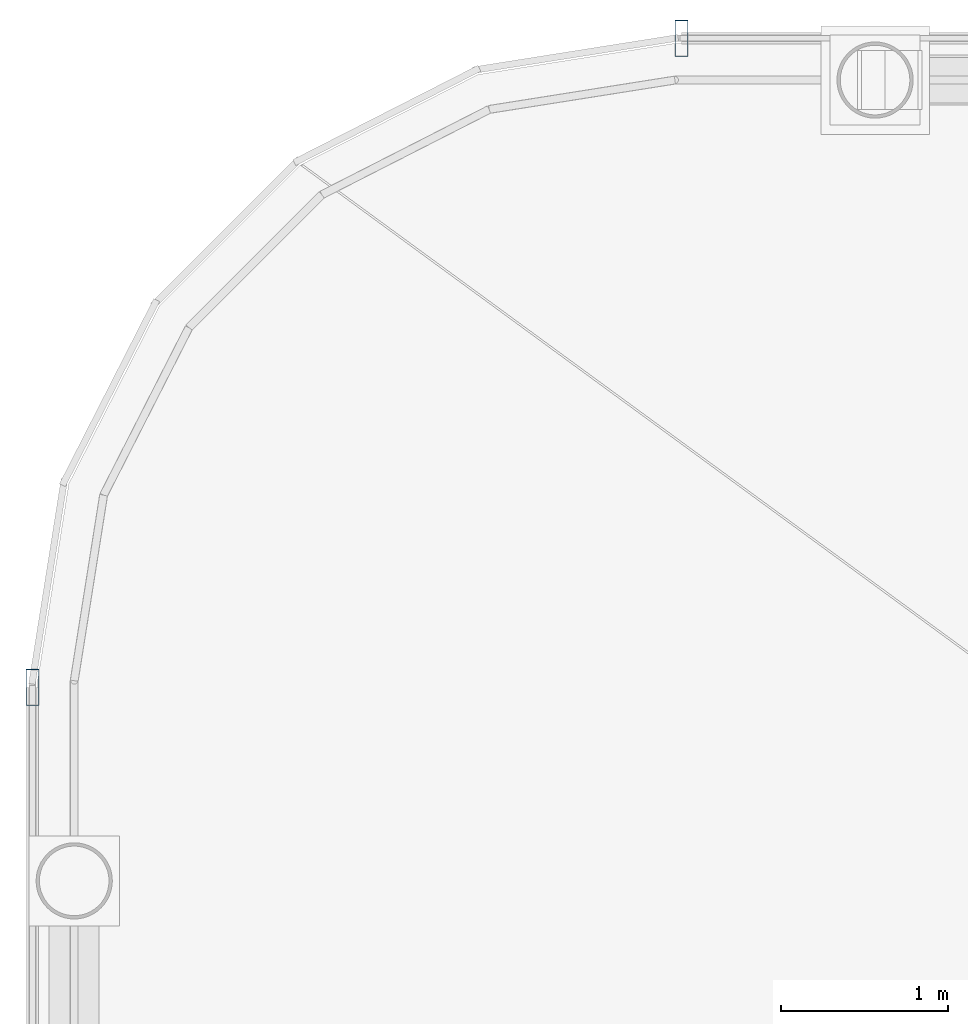
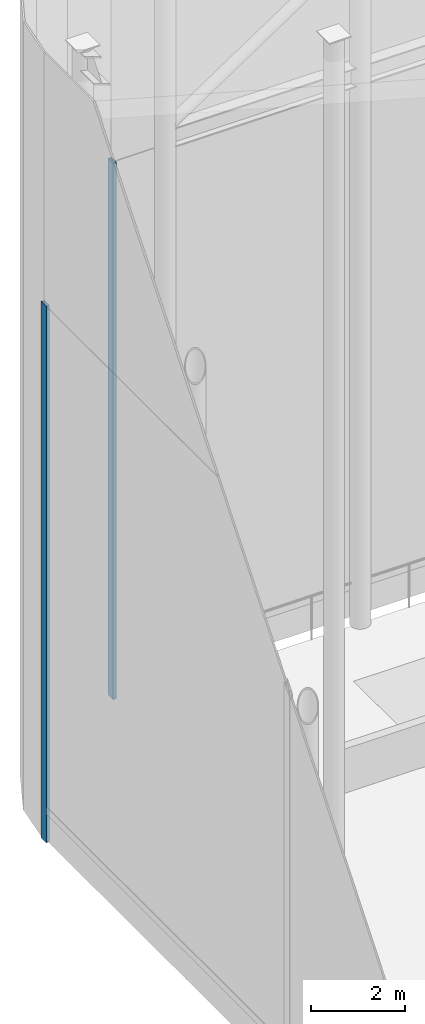
# One storey, part 24 of 42: 2 members, 2 elements without a shape of their own.
"""IFC4 building model written with IfcOpenShell, lengths in metres."""

import ifcopenshell
import ifcopenshell.guid

model = None  # the IFC model being written
_history = None  # IfcOwnerHistory: only IFC2X3 demands one
_inside = {}  # id of a spatial element -> (the spatial element, [elements in it])
_under = {}  # id of a project, library or spatial element -> (it, [spatial elements below it])
_declared = {}  # id of a project -> (the project, [libraries it declares])
_typed = {}  # id of a type object -> (the type object, [elements of that type])
_made_of = {}  # id of a material, layer set ... -> (it, [elements and type objects made of it])


def new_model(schema):
    """Start an empty IFC model of exactly this schema.

    Asked for "IFC4X3", IfcOpenShell would pick the latest addendum, in which some entities
    have other attributes; the version numbers below select the first issue.
    IFC2X3 requires an IfcOwnerHistory on every rooted entity: one is made here for all.
    """
    global model, _history
    if schema == "IFC4X3":
        model = ifcopenshell.file(schema_version=(4, 3, 0, 0))
    else:
        model = ifcopenshell.file(schema=schema)
    _inside.clear()
    _under.clear()
    _declared.clear()
    _typed.clear()
    _made_of.clear()
    _history = None
    if model.schema == "IFC2X3":
        org = make("IfcOrganization", Name="unknown")
        user = make(
            "IfcPersonAndOrganization",
            ThePerson=make("IfcPerson", FamilyName="unknown"),
            TheOrganization=org,
        )
        app = make(
            "IfcApplication",
            ApplicationDeveloper=org,
            Version="unknown",
            ApplicationFullName="unknown",
            ApplicationIdentifier="unknown",
        )
        _history = make(
            "IfcOwnerHistory",
            OwningUser=user,
            OwningApplication=app,
            ChangeAction="ADDED",
            CreationDate=0,
        )
    return model


def make(cls, **values):
    """One entity of the class cls with the attributes given. An attribute that is None is left unset."""
    return model.create_entity(
        cls, **{name: value for name, value in values.items() if value is not None}
    )


def rooted(cls, **values):
    """An entity with a GlobalId (a new one), such as an element, a storey or a relation."""
    return make(cls, GlobalId=ifcopenshell.guid.new(), OwnerHistory=_history, **values)


def si_unit(unit_type, name, prefix=None):
    """IfcSIUnit, for example si_unit("LENGTHUNIT", "METRE", prefix="MILLI")."""
    return make("IfcSIUnit", UnitType=unit_type, Prefix=prefix, Name=name)


def assignment(units):
    """IfcUnitAssignment: the units of a project."""
    return None if units is None else make("IfcUnitAssignment", Units=units)


def point(xyz):
    """IfcCartesianPoint."""
    return None if xyz is None else make("IfcCartesianPoint", Coordinates=xyz)


def direction(xyz):
    """IfcDirection."""
    return None if xyz is None else make("IfcDirection", DirectionRatios=xyz)


def frame(location, z_axis=None, x_axis=None):
    """IfcAxis2Placement3D, a coordinate frame: its origin and axes. An axis left out is left unset."""
    return make(
        "IfcAxis2Placement3D",
        Location=point(location),
        Axis=direction(z_axis),
        RefDirection=direction(x_axis),
    )


def frame_2d(location, x_axis=None):
    """IfcAxis2Placement2D, a coordinate frame in the plane: its origin and x axis."""
    return make(
        "IfcAxis2Placement2D", Location=point(location), RefDirection=direction(x_axis)
    )


def origin():
    """The frame at (0, 0, 0) with its axes left unset."""
    return frame((0.0, 0.0, 0.0))


def origin_2d():
    """The frame at (0, 0) in the plane with its x axis left unset."""
    return frame_2d((0.0, 0.0))


def place(relative_to, where):
    """IfcLocalPlacement: puts the frame where relative to a parent placement (None: the world)."""
    return make(
        "IfcLocalPlacement", PlacementRelTo=relative_to, RelativePlacement=where
    )


def context(
    kind, dimensions, precision=None, world=None, true_north=None, identifier=None
):
    """IfcGeometricRepresentationContext, for example the 3D "Model" context."""
    return make(
        "IfcGeometricRepresentationContext",
        ContextIdentifier=identifier,
        ContextType=kind,
        CoordinateSpaceDimension=dimensions,
        Precision=precision,
        WorldCoordinateSystem=world,
        TrueNorth=true_north,
    )


def subcontext(parent, identifier, kind, view, scale=None):
    """IfcGeometricRepresentationSubContext, for example "Body" below "Model"."""
    return make(
        "IfcGeometricRepresentationSubContext",
        ContextIdentifier=identifier,
        ContextType=kind,
        ParentContext=parent,
        TargetScale=scale,
        TargetView=view,
    )


def project(units=None, contexts=None):
    """IfcProject with its units and contexts."""
    return rooted(
        "IfcProject",
        Name="project",
        RepresentationContexts=contexts,
        UnitsInContext=assignment(units),
    )


def spatial(cls, under=None, at=None, **own):
    """A site, building, storey or space (cls), placed at a placement, below another one or the project."""
    s = rooted(cls, ObjectPlacement=at, **own)
    if under is not None:
        _under.setdefault(under.id(), (under, []))[1].append(s)
    return s


def profile(cls, at=None, kind="AREA", **sizes):
    """A parametric profile (cls). Its sizes go by their IFC names, for example OverallWidth=200.0."""
    return make(cls, ProfileType=kind, Position=at, **sizes)


def hollow_rectangle(**sizes):
    """IfcRectangleHollowProfileDef."""
    return profile("IfcRectangleHollowProfileDef", **sizes)


def extrude(swept, where, along, depth):
    """IfcExtrudedAreaSolid: the profile swept, set in the frame where, extruded along a direction by depth."""
    return make(
        "IfcExtrudedAreaSolid",
        SweptArea=swept,
        Position=where,
        ExtrudedDirection=direction(along),
        Depth=depth,
    )


def shape(context_of_items, identifier, shape_type, items):
    """IfcShapeRepresentation: the items that make up one representation, for example the "Body"."""
    return make(
        "IfcShapeRepresentation",
        ContextOfItems=context_of_items,
        RepresentationIdentifier=identifier,
        RepresentationType=shape_type,
        Items=items,
    )


def material(Name=None, Category=None):
    """IfcMaterial."""
    return make("IfcMaterial", Name=Name, Category=Category)


def layer(
    of_material, thickness, ventilated=None, Name=None, Category=None, Priority=None
):
    """IfcMaterialLayer: one layer of a wall or slab, of a material (None: an air gap)."""
    return make(
        "IfcMaterialLayer",
        Material=of_material,
        LayerThickness=thickness,
        IsVentilated=ventilated,
        Name=Name,
        Category=Category,
        Priority=Priority,
    )


def layer_set(layers, Name=None):
    """IfcMaterialLayerSet."""
    return make("IfcMaterialLayerSet", MaterialLayers=layers, LayerSetName=Name)


def material_profile(
    of_material, cross_section, Name=None, Category=None, Priority=None
):
    """IfcMaterialProfile: a cross section and its material."""
    return make(
        "IfcMaterialProfile",
        Name=Name,
        Material=of_material,
        Profile=cross_section,
        Priority=Priority,
        Category=Category,
    )


def profile_set(profiles, Name=None, composite=None):
    """IfcMaterialProfileSet."""
    return make(
        "IfcMaterialProfileSet",
        Name=Name,
        MaterialProfiles=profiles,
        CompositeProfile=composite,
    )


def made_of(thing, what):
    """Note that an element or type object is made of a material, layer set ...; save() writes the relation."""
    if what is not None:
        _made_of.setdefault(what.id(), (what, []))[1].append(thing)
    return thing


def type_object(cls, material=None, **own):
    """A type object (cls), such as IfcWallType, which elements share."""
    return made_of(rooted(cls, **own), material)


def element(
    cls,
    number,
    at=None,
    inside=None,
    cuts=None,
    type_object=None,
    material=None,
    context=None,
    identifier="Body",
    shape_type=None,
    held_by="IfcProductDefinitionShape",
    body=None,
    shapes=None,
    **own,
):
    """One element of the class cls, such as IfcWall. Its Tag is "e" and its number.

    at: its placement. inside: the storey or other place that contains it. cuts: it is an
    opening in that element (IfcRelVoidsElement). A single representation is given by context,
    identifier, shape_type and body (its items); several are given by shapes. held_by: the class
    of the entity that holds the representations. save() writes the other relations.
    """
    e = rooted(cls, Tag="e%d" % number, ObjectPlacement=at, **own)
    if body is not None:
        shapes = [shape(context, identifier, shape_type, body)]
    if shapes is not None:
        e.Representation = make(held_by, Representations=shapes)
    if inside is not None:
        _inside.setdefault(inside.id(), (inside, []))[1].append(e)
    if cuts is not None:
        rooted(
            "IfcRelVoidsElement", RelatingBuildingElement=cuts, RelatedOpeningElement=e
        )
    if type_object is not None:
        _typed.setdefault(type_object.id(), (type_object, []))[1].append(e)
    return made_of(e, material)


def aggregate(whole, parts):
    """IfcRelAggregates: a whole, such as a stair, and the parts it consists of."""
    return rooted("IfcRelAggregates", RelatingObject=whole, RelatedObjects=parts)


def save(model, path):
    """Write the relations noted so far, then the file.

    IfcRelAggregates (storeys below a building ...), IfcRelContainedInSpatialStructure (elements
    in a storey), IfcRelDefinesByType, IfcRelAssociatesMaterial and IfcRelDeclares: one each for
    every whole, place, type object, material and project.
    """
    for whole, parts in _under.values():
        aggregate(whole, parts)
    for where, things in _inside.values():
        rooted(
            "IfcRelContainedInSpatialStructure",
            RelatedElements=things,
            RelatingStructure=where,
        )
    for kind, things in _typed.values():
        rooted("IfcRelDefinesByType", RelatedObjects=things, RelatingType=kind)
    for what, things in _made_of.values():
        rooted("IfcRelAssociatesMaterial", RelatedObjects=things, RelatingMaterial=what)
    for by, libraries in _declared.values():
        rooted("IfcRelDeclares", RelatingContext=by, RelatedDefinitions=libraries)
    model.write(path)


model = new_model("IFC4")

# Units and contexts
model_context = context("Model", 3, precision=1e-05, world=origin(), true_north=direction((0.0, 1.0)))
body_context = subcontext(model_context, "Body", "Model", "MODEL_VIEW")
ifc_project = project(units=[si_unit("LENGTHUNIT", "METRE"), si_unit("AREAUNIT", "SQUARE_METRE"), si_unit("VOLUMEUNIT", "CUBIC_METRE"), si_unit("PLANEANGLEUNIT", "RADIAN"), si_unit("MASSUNIT", "GRAM", prefix="KILO")], contexts=[model_context])

# Site, building, storey
site_placement = place(None, origin())
site = spatial("IfcSite", under=ifc_project, at=site_placement, CompositionType="ELEMENT")
building_placement = place(site_placement, origin())
building = spatial("IfcBuilding", under=site, at=building_placement, Name="Kallvorn Hotel Tower", CompositionType="ELEMENT")
storey_placement = place(building_placement, frame((0.0, 0.0, 306.0)))
storey = spatial("IfcBuildingStorey", under=building, at=storey_placement, Name="ROOF", CompositionType="ELEMENT", Elevation=306.0)

# Curtain wall, member
ifc_material_1 = material(Name="Thermally broken black-anodised aluminium AA 6063-T6", Category="aluminium")
ifc_layer = layer(ifc_material_1, 0.18994140625)
ifc_layer_set = layer_set([ifc_layer], Name="CW_SYS_7_CROWN_DRUM")
curtain_wall_type = type_object("IfcCurtainWallType", Name="CW_SYS_7_CROWN_DRUM", PredefinedType="USERDEFINED", material=ifc_layer_set)
curtain_wall_1_placement = place(storey_placement, origin())
curtain_wall_1 = element("IfcCurtainWall", 1, at=curtain_wall_1_placement, inside=storey, type_object=curtain_wall_type, Name="ROOF Dark-Glass Curtain Wall CW-ROOF-N1", ObjectType="UNITISED CURTAIN WALL", PredefinedType="USERDEFINED")
ifc_material_2 = material(Name="Thermally broken black-anodised aluminium AA 6063-T6", Category="aluminium")
ifc_material_profile = material_profile(ifc_material_2, hollow_rectangle(XDim=0.080078125, YDim=0.219970703125, WallThickness=0.0048828125, at=origin_2d()), Name="MUL 220x80")
ifc_profile_set = profile_set([ifc_material_profile], Name="Thermally broken black-anodised aluminium AA 6063-T6")
member_type = type_object("IfcMemberType", Name="CW_MULLION_220x80", PredefinedType="MULLION", material=ifc_profile_set)
member_1_placement = place(storey_placement, frame((-25.159912109375, 14.64990234375, 0.02001953125), z_axis=(0.0, 0.0, 1.0), x_axis=(1.0, 0.0, 0.0)))
member_1 = element("IfcMember", 2, at=member_1_placement, type_object=member_type, Name="CW-ROOF-N1 Mullion 00", PredefinedType="MULLION", context=body_context, shape_type="SweptSolid", body=[
    extrude(hollow_rectangle(XDim=0.080078125, YDim=0.219970703125, WallThickness=0.0048828125, at=origin_2d()), origin(), (0.0, 0.0, 1.0), 13.9599609375),
])
aggregate(curtain_wall_1, [member_1])

curtain_wall_2_placement = place(storey_placement, origin())
curtain_wall_2 = element("IfcCurtainWall", 3, at=curtain_wall_2_placement, inside=storey, type_object=curtain_wall_type, Name="ROOF Dark-Glass Curtain Wall CW-ROOF-W1", ObjectType="UNITISED CURTAIN WALL", PredefinedType="USERDEFINED")
member_2_placement = place(storey_placement, frame((-29.050048828125, 10.760009765625, 0.02001953125), z_axis=(0.0, 0.0, 1.0), x_axis=(1.0, 0.0, 0.0)))
member_2 = element("IfcMember", 4, at=member_2_placement, type_object=member_type, Name="CW-ROOF-W1 Mullion 03", PredefinedType="MULLION", context=body_context, shape_type="SweptSolid", body=[
    extrude(hollow_rectangle(XDim=0.080078125, YDim=0.219970703125, WallThickness=0.0048828125, at=origin_2d()), origin(), (0.0, 0.0, 1.0), 13.9599609375),
])
aggregate(curtain_wall_2, [member_2])

save(model, "model.ifc")
